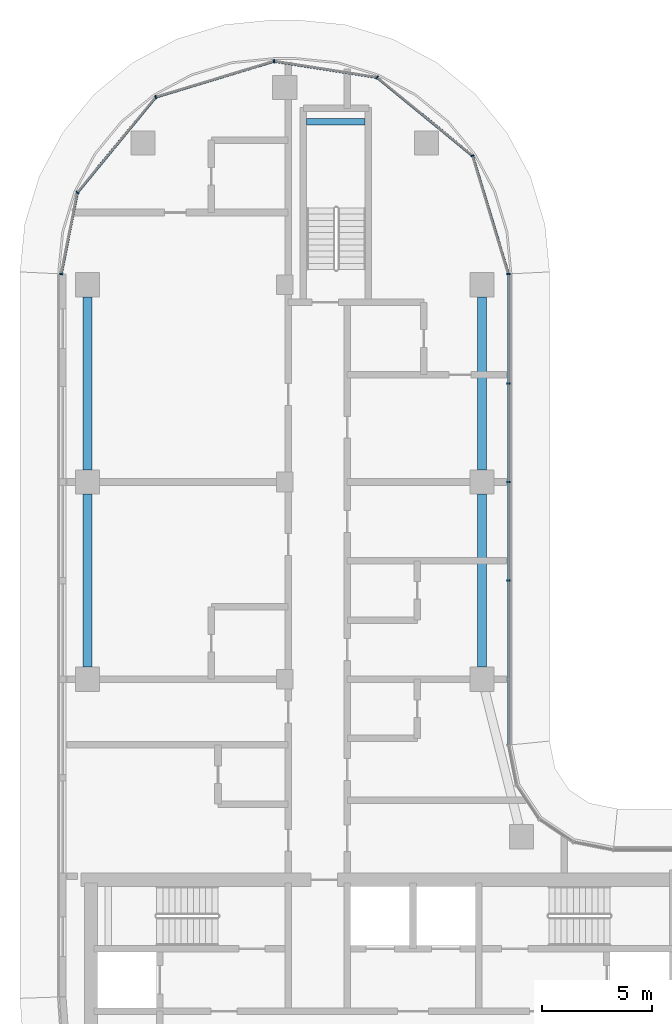
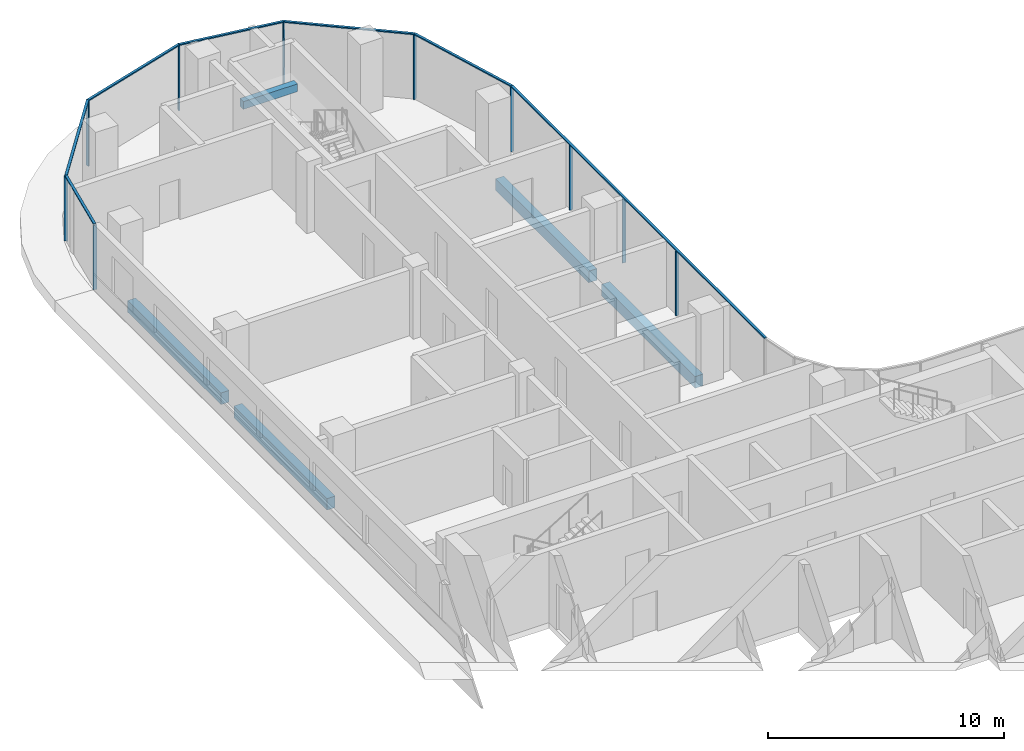
# One storey, part 6 of 27: 17 members, 5 beams, 2 elements without a shape of their own.
"""IFC4 building model written with IfcOpenShell, lengths in metres."""

from ifc_helpers import new_model, si_unit, direction, frame, origin, origin_2d, place, context, subcontext, project, spatial, rectangle, extrude, material, material_profile, profile_set, type_object, element, aggregate, save


model = new_model("IFC4")

# Units and contexts
model_context = context("Model", 3, precision=1e-05, world=origin(), true_north=direction((0.0, 1.0)))
body_context = subcontext(model_context, "Body", "Model", "MODEL_VIEW")
ifc_project = project(units=[si_unit("LENGTHUNIT", "METRE"), si_unit("AREAUNIT", "SQUARE_METRE"), si_unit("VOLUMEUNIT", "CUBIC_METRE"), si_unit("PLANEANGLEUNIT", "RADIAN"), si_unit("MASSUNIT", "GRAM", prefix="KILO")], contexts=[model_context])

# Site, building, storey
site_placement = place(None, origin())
site = spatial("IfcSite", under=ifc_project, at=site_placement, CompositionType="ELEMENT")
building_placement = place(site_placement, origin())
building = spatial("IfcBuilding", under=site, at=building_placement, Name="Ogive Portal Towers", CompositionType="ELEMENT")
storey_placement = place(building_placement, frame((0.0, 0.0, 160.699951171875)))
storey = spatial("IfcBuildingStorey", under=building, at=storey_placement, Name="L39", CompositionType="ELEMENT", Elevation=160.699951171875)

# Beam
ifc_material_1 = material(Name="Concrete C40/50", Category="concrete")
ifc_material_profile_1 = material_profile(ifc_material_1, rectangle(XDim=0.300048828125, YDim=0.39990234375, at=origin_2d()), Name="RC 300x400")
ifc_profile_set_1 = profile_set([ifc_material_profile_1], Name="Concrete C40/50")
beam_type_1 = type_object("IfcBeamType", Name="BEAM RC 300x400", PredefinedType="BEAM", material=ifc_profile_set_1)
beam_placement = place(storey_placement, frame((41.5, 73.949951171875, 1.449951171875), z_axis=(1.0, 0.0, 0.0), x_axis=(0.0, 1.0, 0.0)))
element("IfcBeam", 1, at=beam_placement, inside=storey, type_object=beam_type_1, Name="Landing beam L39", PredefinedType="BEAM", context=body_context, shape_type="SweptSolid", body=[
    extrude(rectangle(XDim=0.300048828125, YDim=0.39990234375, at=origin_2d()), origin(), (0.0, 0.0, 1.0), 2.64990234375),
])

# Curtain wall, members
ifc_material_2 = material(Name="Glass, clear low-iron insulated glazing", Category="glass")
curtain_wall_type = type_object("IfcCurtainWallType", Name="CW FRONT RIBBON 4500", PredefinedType="NOTDEFINED", material=ifc_material_2)
curtain_wall_1_placement = place(storey_placement, origin())
curtain_wall_1 = element("IfcCurtainWall", 2, at=curtain_wall_1_placement, inside=storey, type_object=curtain_wall_type, Name="A:L39:f12:cw0", PredefinedType="NOTDEFINED")
ifc_material_3 = material(Name="Aluminium 6063 anodised", Category="aluminium")
ifc_material_profile_2 = material_profile(ifc_material_3, rectangle(XDim=0.159912109375, YDim=0.06005859375, at=origin_2d()), Name="AL 60x160")
ifc_profile_set_2 = profile_set([ifc_material_profile_2], Name="Aluminium 6063 anodised")
member_type_1 = type_object("IfcMemberType", Name="CW MULLION 60x160", PredefinedType="MULLION", material=ifc_profile_set_2)
member_1_placement = place(storey_placement, frame((50.705078125, 53.0, 0.0), z_axis=(0.0, 0.0, 1.0), x_axis=(-1.0, 0.0, 0.0)))
member_1 = element("IfcMember", 3, at=member_1_placement, type_object=member_type_1, Name="mullion", PredefinedType="MULLION", context=body_context, shape_type="SweptSolid", body=[
    extrude(rectangle(XDim=0.159912109375, YDim=0.06005859375, at=origin_2d()), origin(), (0.0, 0.0, 1.0), 3.340087890625),
])
member_2_placement = place(storey_placement, frame((50.705078125, 57.5, 0.0), z_axis=(0.0, 0.0, 1.0), x_axis=(-1.0, 0.0, 0.0)))
member_2 = element("IfcMember", 4, at=member_2_placement, type_object=member_type_1, Name="mullion", PredefinedType="MULLION", context=body_context, shape_type="SweptSolid", body=[
    extrude(rectangle(XDim=0.159912109375, YDim=0.06005859375, at=origin_2d()), origin(), (0.0, 0.0, 1.0), 3.340087890625),
])
member_3_placement = place(storey_placement, frame((50.705078125, 62.0, 0.0), z_axis=(0.0, 0.0, 1.0), x_axis=(-1.0, 0.0, 0.0)))
member_3 = element("IfcMember", 5, at=member_3_placement, type_object=member_type_1, Name="mullion", PredefinedType="MULLION", context=body_context, shape_type="SweptSolid", body=[
    extrude(rectangle(XDim=0.159912109375, YDim=0.06005859375, at=origin_2d()), origin(), (0.0, 0.0, 1.0), 3.340087890625),
])
member_4_placement = place(storey_placement, frame((50.705078125, 66.988037109375, 0.0), z_axis=(0.0, 0.0, 1.0), x_axis=(-1.0, 0.0, 0.0)))
member_4 = element("IfcMember", 6, at=member_4_placement, type_object=member_type_1, Name="mullion", PredefinedType="MULLION", context=body_context, shape_type="SweptSolid", body=[
    extrude(rectangle(XDim=0.159912109375, YDim=0.06005859375, at=origin_2d()), origin(), (0.0, 0.0, 1.0), 3.340087890625),
])

curtain_wall_2_placement = place(storey_placement, origin())
curtain_wall_2 = element("IfcCurtainWall", 7, at=curtain_wall_2_placement, inside=storey, type_object=curtain_wall_type, Name="A:L39:f13:cwa", PredefinedType="NOTDEFINED")
member_5_placement = place(storey_placement, frame((49.06640625, 72.389892578125, 0.0), z_axis=(0.0, 0.0, 1.0), x_axis=(-0.956940335732, -0.290284677254, 0.0)))
member_5 = element("IfcMember", 8, at=member_5_placement, type_object=member_type_1, Name="mullion", PredefinedType="MULLION", context=body_context, shape_type="SweptSolid", body=[
    extrude(rectangle(XDim=0.159912109375, YDim=0.06005859375, at=origin_2d()), origin(), (0.0, 0.0, 1.0), 3.340087890625),
])
member_6_placement = place(storey_placement, frame((44.710693359375, 75.964599609375, 0.0), z_axis=(0.0, 0.0, 1.0), x_axis=(-0.634393284164, -0.773010453363, 0.0)))
member_6 = element("IfcMember", 9, at=member_6_placement, type_object=member_type_1, Name="mullion", PredefinedType="MULLION", context=body_context, shape_type="SweptSolid", body=[
    extrude(rectangle(XDim=0.159912109375, YDim=0.06005859375, at=origin_2d()), origin(), (0.0, 0.0, 1.0), 3.340087890625),
])
member_7_placement = place(storey_placement, frame((40.005615234375, 76.703125, 0.0), z_axis=(0.0, 0.0, 1.0), x_axis=(-0.15508857602, -0.987900568675, 0.0)))
member_7 = element("IfcMember", 10, at=member_7_placement, type_object=member_type_1, Name="mullion", PredefinedType="MULLION", context=body_context, shape_type="SweptSolid", body=[
    extrude(rectangle(XDim=0.159912109375, YDim=0.06005859375, at=origin_2d()), origin(), (0.0, 0.0, 1.0), 3.340087890625),
])
member_8_placement = place(storey_placement, frame((34.610107421875, 75.06640625, 0.0), z_axis=(0.0, 0.0, 1.0), x_axis=(0.290284677254, -0.956940335732, 0.0)))
member_8 = element("IfcMember", 11, at=member_8_placement, type_object=member_type_1, Name="mullion", PredefinedType="MULLION", context=body_context, shape_type="SweptSolid", body=[
    extrude(rectangle(XDim=0.159912109375, YDim=0.06005859375, at=origin_2d()), origin(), (0.0, 0.0, 1.0), 3.340087890625),
])
member_9_placement = place(storey_placement, frame((31.034423828125, 70.709228515625, 0.0), z_axis=(0.0, 0.0, 1.0), x_axis=(0.773010453363, -0.634393284164, 0.0)))
member_9 = element("IfcMember", 12, at=member_9_placement, type_object=member_type_1, Name="mullion", PredefinedType="MULLION", context=body_context, shape_type="SweptSolid", body=[
    extrude(rectangle(XDim=0.159912109375, YDim=0.06005859375, at=origin_2d()), origin(), (0.0, 0.0, 1.0), 3.340087890625),
])
member_10_placement = place(storey_placement, frame((30.294921875, 66.9921875, 0.0), z_axis=(0.0, 0.0, 1.0), x_axis=(0.980785280403, -0.195090322016, 0.0)))
member_10 = element("IfcMember", 13, at=member_10_placement, type_object=member_type_1, Name="mullion", PredefinedType="MULLION", context=body_context, shape_type="SweptSolid", body=[
    extrude(rectangle(XDim=0.159912109375, YDim=0.06005859375, at=origin_2d()), origin(), (0.0, 0.0, 1.0), 3.340087890625),
])

# Member
ifc_material_profile_3 = material_profile(ifc_material_3, rectangle(XDim=0.1201171875, YDim=0.06005859375, at=origin_2d()), Name="AL 120x60")
ifc_profile_set_3 = profile_set([ifc_material_profile_3], Name="Aluminium 6063 anodised")
member_type_2 = type_object("IfcMemberType", Name="CW TRANSOM 60x120", PredefinedType="USERDEFINED", material=ifc_profile_set_3)
member_11_placement = place(storey_placement, frame((50.705078125, 45.4921875, 3.3701171875), z_axis=(0.0, 1.0, 0.0), x_axis=(-1.0, 0.0, 0.0)))
member_11 = element("IfcMember", 14, at=member_11_placement, type_object=member_type_2, Name="transom", ObjectType="TRANSOM", PredefinedType="USERDEFINED", context=body_context, shape_type="SweptSolid", body=[
    extrude(rectangle(XDim=0.1201171875, YDim=0.06005859375, at=origin_2d()), origin(), (0.0, 0.0, 1.0), 21.495849609375),
])

aggregate(curtain_wall_1, [member_11, member_1, member_2, member_3, member_4])

member_12_placement = place(storey_placement, frame((50.705078125, 66.988037109375, 3.3701171875), z_axis=(-0.290290668645, 0.956938518243, 0.0), x_axis=(-0.956938518243, -0.290290668645, 0.0)))
member_12 = element("IfcMember", 15, at=member_12_placement, type_object=member_type_2, Name="transom", ObjectType="TRANSOM", PredefinedType="USERDEFINED", context=body_context, shape_type="SweptSolid", body=[
    extrude(rectangle(XDim=0.1201171875, YDim=0.06005859375, at=origin_2d()), origin(), (0.0, 0.0, 1.0), 5.64501953125),
])

member_13_placement = place(storey_placement, frame((49.06640625, 72.389892578125, 3.3701171875), z_axis=(-0.773004723045, 0.634400266511, 0.0), x_axis=(-0.634400266511, -0.773004723045, 0.0)))
member_13 = element("IfcMember", 16, at=member_13_placement, type_object=member_type_2, Name="transom", ObjectType="TRANSOM", PredefinedType="USERDEFINED", context=body_context, shape_type="SweptSolid", body=[
    extrude(rectangle(XDim=0.1201171875, YDim=0.06005859375, at=origin_2d()), origin(), (0.0, 0.0, 1.0), 5.634765625),
])

member_14_placement = place(storey_placement, frame((44.710693359375, 75.964599609375, 3.3701171875), z_axis=(-0.987904287541, 0.155064885316, 0.0), x_axis=(-0.155064885316, -0.987904287541, 0.0)))
member_14 = element("IfcMember", 17, at=member_14_placement, type_object=member_type_2, Name="transom", ObjectType="TRANSOM", PredefinedType="USERDEFINED", context=body_context, shape_type="SweptSolid", body=[
    extrude(rectangle(XDim=0.1201171875, YDim=0.06005859375, at=origin_2d()), origin(), (0.0, 0.0, 1.0), 4.7626953125),
])

member_15_placement = place(storey_placement, frame((40.005615234375, 76.703125, 3.3701171875), z_axis=(-0.956939875143, -0.290286195609, 0.0), x_axis=(0.290286195609, -0.956939875143, 0.0)))
member_15 = element("IfcMember", 18, at=member_15_placement, type_object=member_type_2, Name="transom", ObjectType="TRANSOM", PredefinedType="USERDEFINED", context=body_context, shape_type="SweptSolid", body=[
    extrude(rectangle(XDim=0.1201171875, YDim=0.06005859375, at=origin_2d()), origin(), (0.0, 0.0, 1.0), 5.63818359375),
])

member_16_placement = place(storey_placement, frame((34.610107421875, 75.06640625, 3.3701171875), z_axis=(-0.634376347317, -0.773024352763, 0.0), x_axis=(0.773024352763, -0.634376347317, 0.0)))
member_16 = element("IfcMember", 19, at=member_16_placement, type_object=member_type_2, Name="transom", ObjectType="TRANSOM", PredefinedType="USERDEFINED", context=body_context, shape_type="SweptSolid", body=[
    extrude(rectangle(XDim=0.1201171875, YDim=0.06005859375, at=origin_2d()), origin(), (0.0, 0.0, 1.0), 5.636474609375),
])

member_17_placement = place(storey_placement, frame((31.034423828125, 70.709228515625, 3.3701171875), z_axis=(-0.195124974332, -0.980778386993, 0.0), x_axis=(0.980778386993, -0.195124974332, 0.0)))
member_17 = element("IfcMember", 20, at=member_17_placement, type_object=member_type_2, Name="transom", ObjectType="TRANSOM", PredefinedType="USERDEFINED", context=body_context, shape_type="SweptSolid", body=[
    extrude(rectangle(XDim=0.1201171875, YDim=0.06005859375, at=origin_2d()), origin(), (0.0, 0.0, 1.0), 3.789794921875),
])

aggregate(curtain_wall_2, [member_12, member_13, member_14, member_15, member_16, member_17, member_5, member_6, member_7, member_8, member_9, member_10])

# Beams
ifc_material_profile_4 = material_profile(ifc_material_1, rectangle(XDim=0.39990234375, YDim=0.60009765625, at=origin_2d()), Name="RC 400x600")
ifc_profile_set_4 = profile_set([ifc_material_profile_4], Name="Concrete C40/50")
beam_type_2 = type_object("IfcBeamType", Name="SPANDREL BEAM RC 400x600", PredefinedType="BEAM", material=ifc_profile_set_4)
for number, where, z_axis, x_axis, name in (
    (21, (31.5, 49.050048828125, -0.599853515625), (0.0, 1.0, 0.0), (-1.0, 0.0, 0.0), "Spandrel beam L39"),
    (22, (31.5, 58.050048828125, -0.599853515625), (0.0, 1.0, 0.0), (-1.0, 0.0, 0.0), "Spandrel beam L39"),
    (23, (49.5, 65.949951171875, -0.599853515625), (0.0, -1.0, 0.0), (1.0, 0.0, 0.0), "Spandrel beam L39"),
    (24, (49.5, 56.949951171875, -0.599853515625), (0.0, -1.0, 0.0), (1.0, 0.0, 0.0), "Spandrel beam L39"),
):
    element("IfcBeam", number, at=place(storey_placement, frame(where, z_axis=z_axis, x_axis=x_axis)), inside=storey, type_object=beam_type_2, Name=name, PredefinedType="BEAM", context=body_context, shape_type="SweptSolid", body=[
        extrude(rectangle(XDim=0.39990234375, YDim=0.60009765625, at=origin_2d()), origin(), (0.0, 0.0, 1.0), 7.89990234375),
    ])

save(model, "model.ifc")
